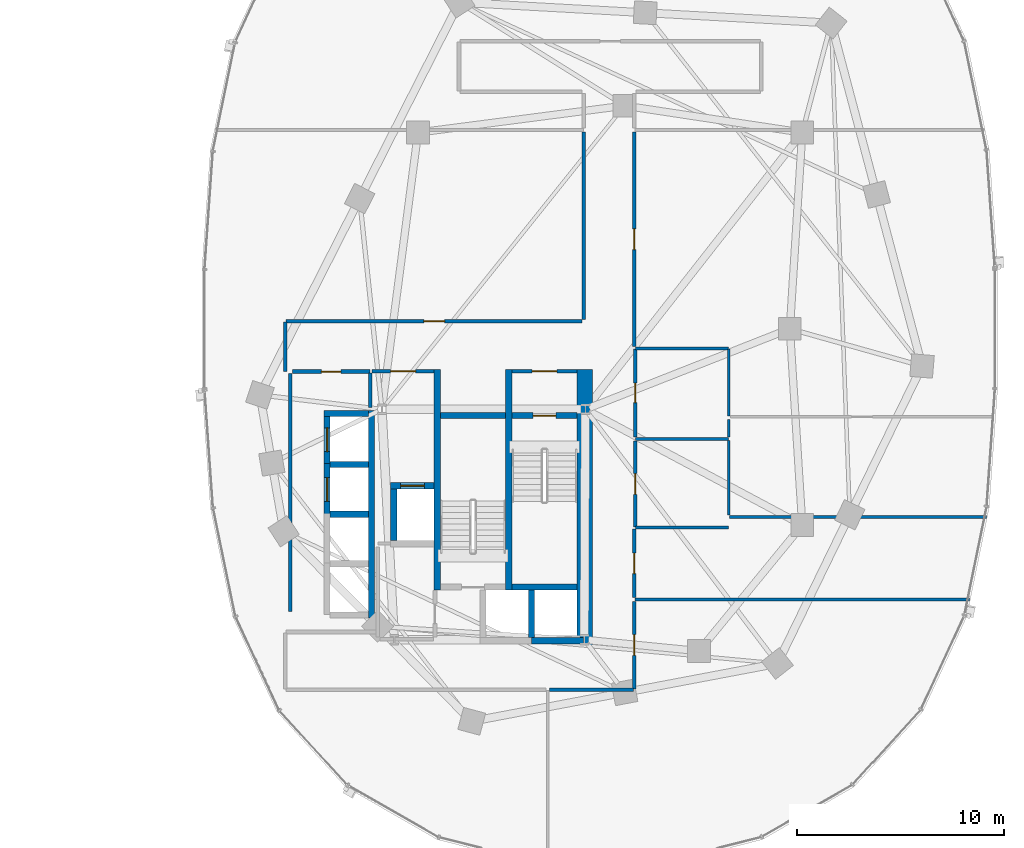
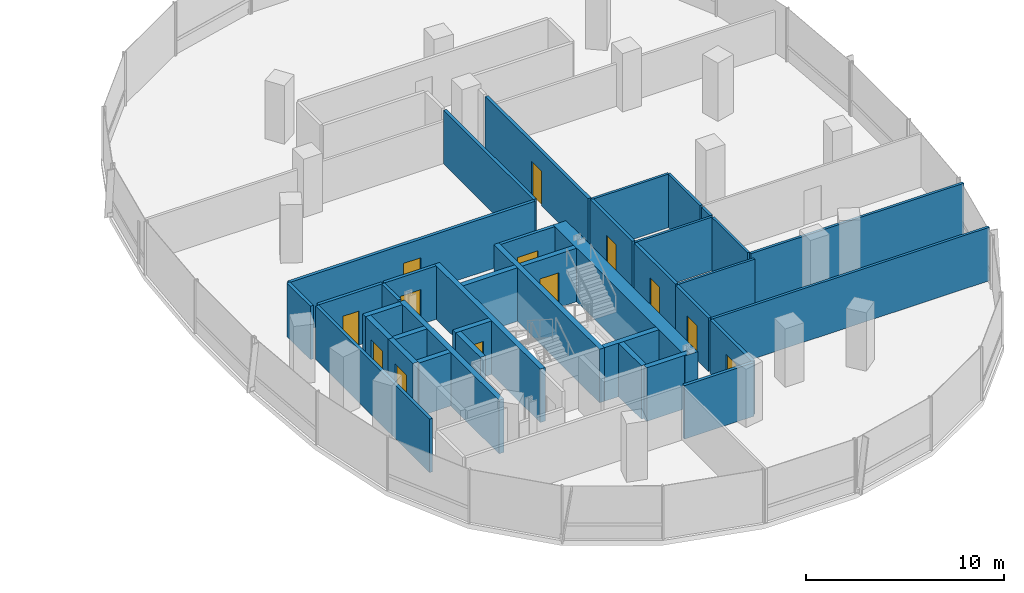
# One storey, part 13 of 21: 38 walls, 13 doors, 13 openings.
"""IFC4 building model written with IfcOpenShell, lengths in metres."""

from ifc_helpers import new_model, si_unit, direction, frame, frame_2d, origin, place, context, subcontext, project, spatial, rectangle, extrude, material, layer, layer_set, type_object, element, fill, save


model = new_model("IFC4")

# Units and contexts
model_context = context("Model", 3, precision=1e-05, world=origin(), true_north=direction((0.0, 1.0)))
body_context = subcontext(model_context, "Body", "Model", "MODEL_VIEW")
ifc_project = project(units=[si_unit("LENGTHUNIT", "METRE"), si_unit("AREAUNIT", "SQUARE_METRE"), si_unit("VOLUMEUNIT", "CUBIC_METRE"), si_unit("PLANEANGLEUNIT", "RADIAN"), si_unit("MASSUNIT", "GRAM", prefix="KILO"), si_unit("THERMODYNAMICTEMPERATUREUNIT", "KELVIN"), si_unit("POWERUNIT", "WATT")], contexts=[model_context])

# Site, building, storey
site_placement = place(None, origin())
site = spatial("IfcSite", under=ifc_project, at=site_placement, CompositionType="ELEMENT")
building_placement = place(site_placement, origin())
building = spatial("IfcBuilding", under=site, at=building_placement, Name="Cundina Bronze Exchange", CompositionType="ELEMENT")
storey_placement = place(building_placement, frame((0.0, 0.0, 99.800048828125)))
storey = spatial("IfcBuildingStorey", under=building, at=storey_placement, Name="L25", CompositionType="ELEMENT", Elevation=99.800048828125)

# Wall
ifc_material_1 = material(Name="Gypsum Fireboard Partition EI120")
ifc_layer_1 = layer(ifc_material_1, 0.179931640625, Name="Gypsum Fireboard Partition EI120")
ifc_layer_set_1 = layer_set([ifc_layer_1], Name="Gypsum Fireboard Partition EI120")
wall_type_1 = type_object("IfcWallType", Name="WL-COR-180", PredefinedType="PARTITIONING", material=ifc_layer_set_1)
wall_1_placement = place(storey_placement, frame((20.889892578125, -3.800048828125, 0.0), z_axis=(0.0, 0.0, 1.0), x_axis=(0.0, 1.0, 0.0)))
element("IfcWall", 1, at=wall_1_placement, inside=storey, type_object=wall_type_1, Name="L25 E Firefighting Lobby Side Wall", PredefinedType="PARTITIONING", context=body_context, shape_type="SweptSolid", body=[
    extrude(rectangle(XDim=1.650146484375, YDim=0.179931640625, at=frame_2d((0.8251953125, 0.0))), origin(), (0.0, 0.0, 1.0), 3.300048828125),
])

# Wall, opening, door
wall_2_placement = place(storey_placement, frame((20.97998046875, -2.06005859375, 0.0), z_axis=(0.0, 0.0, 1.0), x_axis=(1.0, 0.0, 0.0)))
wall_2 = element("IfcWall", 2, at=wall_2_placement, inside=storey, type_object=wall_type_1, Name="L25 E Firefighting Lobby Exit Wall", PredefinedType="PARTITIONING", context=body_context, shape_type="SweptSolid", body=[
    extrude(rectangle(XDim=3.0, YDim=0.179931640625, at=frame_2d((1.5, 0.0))), origin(), (0.0, 0.0, 1.0), 3.300048828125),
])
opening_1_placement = place(wall_2_placement, frame((0.89990234375, 0.0, 0.0)))
opening_1 = element("IfcOpeningElement", 3, at=opening_1_placement, cuts=wall_2, Name="Opening DF-01", PredefinedType="OPENING", context=body_context, shape_type="SweptSolid", body=[
    extrude(rectangle(XDim=1.199951171875, YDim=2.14990234375, at=frame_2d((0.60009765625, 1.074951171875))), frame((0.0, 0.099853515625, 0.0), z_axis=(0.0, -1.0, 0.0), x_axis=(1.0, 0.0, 0.0)), (0.0, 0.0, 1.0), 0.199951171875),
])
ifc_material_2 = material(Name="Steel ASTM A36 Painted", Category="steel")
door_type_1 = type_object("IfcDoorType", Name="DR-FFL-1200", OperationType="NOTDEFINED", PredefinedType="DOOR", material=ifc_material_2)
door_1_placement = place(opening_1_placement, origin())
door_1 = element("IfcDoor", 4, at=door_1_placement, inside=storey, type_object=door_type_1, Name="L25 E Firefighting Lobby Door", OperationType="SINGLE_SWING_LEFT", OverallHeight=2.14990234375, OverallWidth=1.199951171875, PredefinedType="DOOR", context=body_context, shape_type="SweptSolid", body=[
    extrude(rectangle(XDim=1.199951171875, YDim=2.14990234375, at=frame_2d((0.60009765625, 1.074951171875))), frame((0.0, 0.02490234375, 0.0), z_axis=(0.0, -1.0, 0.0), x_axis=(1.0, 0.0, 0.0)), (0.0, 0.0, 1.0), 0.050048828125),
])
fill(opening_1, door_1)

wall_3_placement = place(storey_placement, frame((27.739990234375, -2.06005859375, 0.0), z_axis=(0.0, 0.0, 1.0), x_axis=(1.0, 0.0, 0.0)))
wall_3 = element("IfcWall", 5, at=wall_3_placement, inside=storey, type_object=wall_type_1, Name="L25 E Stair Vestibule Exit Wall", PredefinedType="PARTITIONING", context=body_context, shape_type="SweptSolid", body=[
    extrude(rectangle(XDim=3.159912109375, YDim=0.179931640625, at=frame_2d((1.580078125, 0.0))), origin(), (0.0, 0.0, 1.0), 3.300048828125),
])
opening_2_placement = place(wall_3_placement, frame((0.97998046875, 0.0, 0.0)))
opening_2 = element("IfcOpeningElement", 6, at=opening_2_placement, cuts=wall_3, Name="Opening DF-01", PredefinedType="OPENING", context=body_context, shape_type="SweptSolid", body=[
    extrude(rectangle(XDim=1.199951171875, YDim=2.14990234375, at=frame_2d((0.60009765625, 1.074951171875))), frame((0.0, 0.099853515625, 0.0), z_axis=(0.0, -1.0, 0.0), x_axis=(1.0, 0.0, 0.0)), (0.0, 0.0, 1.0), 0.199951171875),
])
door_2_placement = place(opening_2_placement, origin())
door_2 = element("IfcDoor", 7, at=door_2_placement, inside=storey, type_object=door_type_1, Name="L25 E Stair Vestibule Door", OperationType="SINGLE_SWING_RIGHT", OverallHeight=2.14990234375, OverallWidth=1.199951171875, PredefinedType="DOOR", context=body_context, shape_type="SweptSolid", body=[
    extrude(rectangle(XDim=1.199951171875, YDim=2.14990234375, at=frame_2d((0.60009765625, 1.074951171875))), frame((0.0, 0.02490234375, 0.0), z_axis=(0.0, -1.0, 0.0), x_axis=(1.0, 0.0, 0.0)), (0.0, 0.0, 1.0), 0.050048828125),
])
fill(opening_2, door_2)

# Wall
wall_4_placement = place(storey_placement, frame((17.02001953125, -13.679931640625, 0.0), z_axis=(0.0, 0.0, 1.0), x_axis=(0.0, 1.0, 0.0)))
element("IfcWall", 8, at=wall_4_placement, inside=storey, type_object=wall_type_1, Name="L25 Interior Partition 038", PredefinedType="PARTITIONING", context=body_context, shape_type="SweptSolid", body=[
    extrude(rectangle(XDim=11.510009765625, YDim=0.179931640625, at=frame_2d((5.7548828125, 0.0))), origin(), (0.0, 0.0, 1.0), 3.300048828125),
])

# Wall, opening, door
wall_5_placement = place(storey_placement, frame((17.1201171875, -2.070068359375, 0.0), z_axis=(0.0, 0.0, 1.0), x_axis=(1.0, 0.0, 0.0)))
wall_5 = element("IfcWall", 9, at=wall_5_placement, inside=storey, type_object=wall_type_1, Name="L25 Interior Partition 039", PredefinedType="PARTITIONING", context=body_context, shape_type="SweptSolid", body=[
    extrude(rectangle(XDim=3.75, YDim=0.179931640625, at=frame_2d((1.875, 0.0))), origin(), (0.0, 0.0, 1.0), 3.300048828125),
])
opening_3_placement = place(wall_5_placement, frame((1.39990234375, 0.0, 0.0)))
opening_3 = element("IfcOpeningElement", 10, at=opening_3_placement, cuts=wall_5, Name="Opening DW-01", PredefinedType="OPENING", context=body_context, shape_type="SweptSolid", body=[
    extrude(rectangle(XDim=0.949951171875, YDim=2.10009765625, at=frame_2d((0.47509765625, 1.050048828125))), frame((0.0, 0.099853515625, 0.0), z_axis=(0.0, -1.0, 0.0), x_axis=(1.0, 0.0, 0.0)), (0.0, 0.0, 1.0), 0.199951171875),
])
ifc_material_3 = material(Name="Solid Andean Oak Timber Grade A", Category="wood")
door_type_2 = type_object("IfcDoorType", Name="DR-WC-950", OperationType="NOTDEFINED", PredefinedType="DOOR", material=ifc_material_3)
door_3_placement = place(opening_3_placement, origin())
door_3 = element("IfcDoor", 11, at=door_3_placement, inside=storey, type_object=door_type_2, Name="L25 Interior Door 039", OperationType="SINGLE_SWING_LEFT", OverallHeight=2.10009765625, OverallWidth=0.949951171875, PredefinedType="DOOR", context=body_context, shape_type="SweptSolid", body=[
    extrude(rectangle(XDim=0.949951171875, YDim=2.10009765625, at=frame_2d((0.47509765625, 1.050048828125))), frame((0.0, 0.02490234375, 0.0), z_axis=(0.0, -1.0, 0.0), x_axis=(1.0, 0.0, 0.0)), (0.0, 0.0, 1.0), 0.050048828125),
])
fill(opening_3, door_3)

wall_6_placement = place(storey_placement, frame((33.719970703125, -5.22998046875, 0.0), z_axis=(0.0, 0.0, 1.0), x_axis=(0.0, 1.0, 0.0)))
wall_6 = element("IfcWall", 12, at=wall_6_placement, inside=storey, type_object=wall_type_1, Name="L25 Interior Partition 050", PredefinedType="PARTITIONING", context=body_context, shape_type="SweptSolid", body=[
    extrude(rectangle(XDim=4.260009765625, YDim=0.179931640625, at=frame_2d((2.1298828125, 0.0))), origin(), (0.0, 0.0, 1.0), 3.300048828125),
])
opening_4_placement = place(wall_6_placement, frame((1.655029296875, 0.0, 0.0)))
opening_4 = element("IfcOpeningElement", 13, at=opening_4_placement, cuts=wall_6, Name="Opening DW-01", PredefinedType="OPENING", context=body_context, shape_type="SweptSolid", body=[
    extrude(rectangle(XDim=0.949951171875, YDim=2.10009765625, at=frame_2d((0.47509765625, 1.050048828125))), frame((0.0, 0.099853515625, 0.0), z_axis=(0.0, -1.0, 0.0), x_axis=(1.0, 0.0, 0.0)), (0.0, 0.0, 1.0), 0.199951171875),
])
door_4_placement = place(opening_4_placement, origin())
door_4 = element("IfcDoor", 14, at=door_4_placement, inside=storey, type_object=door_type_2, Name="L25 Interior Door 050", OperationType="SINGLE_SWING_RIGHT", OverallHeight=2.10009765625, OverallWidth=0.949951171875, PredefinedType="DOOR", context=body_context, shape_type="SweptSolid", body=[
    extrude(rectangle(XDim=0.949951171875, YDim=2.10009765625, at=frame_2d((0.47509765625, 1.050048828125))), frame((0.0, 0.02490234375, 0.0), z_axis=(0.0, -1.0, 0.0), x_axis=(1.0, 0.0, 0.0)), (0.0, 0.0, 1.0), 0.050048828125),
])
fill(opening_4, door_4)

wall_7_placement = place(storey_placement, frame((33.719970703125, -9.590087890625, 0.0), z_axis=(0.0, 0.0, 1.0), x_axis=(0.0, 1.0, 0.0)))
wall_7 = element("IfcWall", 15, at=wall_7_placement, inside=storey, type_object=wall_type_1, Name="L25 Interior Partition 051", PredefinedType="PARTITIONING", context=body_context, shape_type="SweptSolid", body=[
    extrude(rectangle(XDim=4.16015625, YDim=0.179931640625, at=frame_2d((2.080078125, 0.0))), origin(), (0.0, 0.0, 1.0), 3.300048828125),
])
opening_5_placement = place(wall_7_placement, frame((1.580078125, 0.0, 0.0)))
opening_5 = element("IfcOpeningElement", 16, at=opening_5_placement, cuts=wall_7, Name="Opening DO-01", PredefinedType="OPENING", context=body_context, shape_type="SweptSolid", body=[
    extrude(rectangle(XDim=1.0, YDim=2.14990234375, at=frame_2d((0.5, 1.074951171875))), frame((0.0, 0.099853515625, 0.0), z_axis=(0.0, -1.0, 0.0), x_axis=(1.0, 0.0, 0.0)), (0.0, 0.0, 1.0), 0.199951171875),
])
door_type_3 = type_object("IfcDoorType", Name="DR-OFF-1000", OperationType="NOTDEFINED", PredefinedType="DOOR", material=ifc_material_3)
door_5_placement = place(opening_5_placement, origin())
door_5 = element("IfcDoor", 17, at=door_5_placement, inside=storey, type_object=door_type_3, Name="L25 Interior Door 051", OperationType="SINGLE_SWING_LEFT", OverallHeight=2.14990234375, OverallWidth=1.0, PredefinedType="DOOR", context=body_context, shape_type="SweptSolid", body=[
    extrude(rectangle(XDim=1.0, YDim=2.14990234375, at=frame_2d((0.5, 1.074951171875))), frame((0.0, 0.02490234375, 0.0), z_axis=(0.0, -1.0, 0.0), x_axis=(1.0, 0.0, 0.0)), (0.0, 0.0, 1.0), 0.050048828125),
])
fill(opening_5, door_5)

wall_8_placement = place(storey_placement, frame((33.669921875, -17.428466796875, 0.0), z_axis=(0.0, 0.0, 1.0), x_axis=(0.0, 1.0, 0.0)))
wall_8 = element("IfcWall", 18, at=wall_8_placement, inside=storey, type_object=wall_type_1, Name="L25 Interior Partition 057", PredefinedType="PARTITIONING", context=body_context, shape_type="SweptSolid", body=[
    extrude(rectangle(XDim=4.238525390625, YDim=0.179931640625, at=frame_2d((2.119140625, 0.0))), origin(), (0.0, 0.0, 1.0), 3.300048828125),
])
opening_6_placement = place(wall_8_placement, frame((1.619384765625, 0.0, 0.0)))
opening_6 = element("IfcOpeningElement", 19, at=opening_6_placement, cuts=wall_8, Name="Opening DO-01", PredefinedType="OPENING", context=body_context, shape_type="SweptSolid", body=[
    extrude(rectangle(XDim=1.0, YDim=2.14990234375, at=frame_2d((0.5, 1.074951171875))), frame((0.0, 0.099853515625, 0.0), z_axis=(0.0, -1.0, 0.0), x_axis=(1.0, 0.0, 0.0)), (0.0, 0.0, 1.0), 0.199951171875),
])
door_6_placement = place(opening_6_placement, origin())
door_6 = element("IfcDoor", 20, at=door_6_placement, inside=storey, type_object=door_type_3, Name="L25 Interior Door 057", OperationType="SINGLE_SWING_LEFT", OverallHeight=2.14990234375, OverallWidth=1.0, PredefinedType="DOOR", context=body_context, shape_type="SweptSolid", body=[
    extrude(rectangle(XDim=1.0, YDim=2.14990234375, at=frame_2d((0.5, 1.074951171875))), frame((0.0, 0.02490234375, 0.0), z_axis=(0.0, -1.0, 0.0), x_axis=(1.0, 0.0, 0.0)), (0.0, 0.0, 1.0), 0.050048828125),
])
fill(opening_6, door_6)

# Wall
wall_9_placement = place(storey_placement, frame((29.570068359375, -17.469970703125, 0.0), z_axis=(0.0, 0.0, 1.0), x_axis=(1.0, 0.0, 0.0)))
element("IfcWall", 21, at=wall_9_placement, inside=storey, type_object=wall_type_1, Name="L25 Interior Partition 058", PredefinedType="PARTITIONING", context=body_context, shape_type="SweptSolid", body=[
    extrude(rectangle(XDim=4.058349609375, YDim=0.179931640625, at=frame_2d((2.029296875, 0.0))), origin(), (0.0, 0.0, 1.0), 3.300048828125),
])

# Wall, opening, door
wall_10_placement = place(storey_placement, frame((33.669921875, -13.010009765625, 0.0), z_axis=(0.0, 0.0, 1.0), x_axis=(0.0, 1.0, 0.0)))
wall_10 = element("IfcWall", 22, at=wall_10_placement, inside=storey, type_object=wall_type_1, Name="L25 Interior Partition 059", PredefinedType="PARTITIONING", context=body_context, shape_type="SweptSolid", body=[
    extrude(rectangle(XDim=3.30859375, YDim=0.179931640625, at=frame_2d((1.654296875, 0.0))), origin(), (0.0, 0.0, 1.0), 3.300048828125),
])
opening_7_placement = place(wall_10_placement, frame((1.154296875, 0.0, 0.0)))
opening_7 = element("IfcOpeningElement", 23, at=opening_7_placement, cuts=wall_10, Name="Opening DO-01", PredefinedType="OPENING", context=body_context, shape_type="SweptSolid", body=[
    extrude(rectangle(XDim=1.0, YDim=2.14990234375, at=frame_2d((0.5, 1.074951171875))), frame((0.0, 0.099853515625, 0.0), z_axis=(0.0, -1.0, 0.0), x_axis=(1.0, 0.0, 0.0)), (0.0, 0.0, 1.0), 0.199951171875),
])
door_7_placement = place(opening_7_placement, origin())
door_7 = element("IfcDoor", 24, at=door_7_placement, inside=storey, type_object=door_type_3, Name="L25 Interior Door 059", OperationType="SINGLE_SWING_RIGHT", OverallHeight=2.14990234375, OverallWidth=1.0, PredefinedType="DOOR", context=body_context, shape_type="SweptSolid", body=[
    extrude(rectangle(XDim=1.0, YDim=2.14990234375, at=frame_2d((0.5, 1.074951171875))), frame((0.0, 0.02490234375, 0.0), z_axis=(0.0, -1.0, 0.0), x_axis=(1.0, 0.0, 0.0)), (0.0, 0.0, 1.0), 0.050048828125),
])
fill(opening_7, door_7)

wall_11_placement = place(storey_placement, frame((31.14990234375, 0.3701171875, 0.0), z_axis=(0.0, 0.0, 1.0), x_axis=(-1.0, 0.0, 0.0)))
wall_11 = element("IfcWall", 25, at=wall_11_placement, inside=storey, type_object=wall_type_1, Name="L25 Interior Partition 060", PredefinedType="PARTITIONING", context=body_context, shape_type="SweptSolid", body=[
    extrude(rectangle(XDim=14.328369140625, YDim=0.179931640625, at=frame_2d((7.1640625, 0.0))), origin(), (0.0, 0.0, 1.0), 3.300048828125),
])
opening_8_placement = place(wall_11_placement, frame((6.664306640625, 0.0, 0.0)))
opening_8 = element("IfcOpeningElement", 26, at=opening_8_placement, cuts=wall_11, Name="Opening DO-01", PredefinedType="OPENING", context=body_context, shape_type="SweptSolid", body=[
    extrude(rectangle(XDim=1.0, YDim=2.14990234375, at=frame_2d((0.5, 1.074951171875))), frame((0.0, 0.099853515625, 0.0), z_axis=(0.0, -1.0, 0.0), x_axis=(1.0, 0.0, 0.0)), (0.0, 0.0, 1.0), 0.199951171875),
])
door_8_placement = place(opening_8_placement, origin())
door_8 = element("IfcDoor", 27, at=door_8_placement, inside=storey, type_object=door_type_3, Name="L25 Interior Door 060", OperationType="SINGLE_SWING_LEFT", OverallHeight=2.14990234375, OverallWidth=1.0, PredefinedType="DOOR", context=body_context, shape_type="SweptSolid", body=[
    extrude(rectangle(XDim=1.0, YDim=2.14990234375, at=frame_2d((0.5, 1.074951171875))), frame((0.0, 0.02490234375, 0.0), z_axis=(0.0, -1.0, 0.0), x_axis=(1.0, 0.0, 0.0)), (0.0, 0.0, 1.0), 0.050048828125),
])
fill(opening_8, door_8)

# Walls
wall_12_placement = place(storey_placement, frame((31.22998046875, 9.530029296875, 0.0), z_axis=(0.0, 0.0, 1.0), x_axis=(0.0, -1.0, 0.0)))
element("IfcWall", 28, at=wall_12_placement, inside=storey, type_object=wall_type_1, Name="L25 Interior Partition 062", PredefinedType="PARTITIONING", context=body_context, shape_type="SweptSolid", body=[
    extrude(rectangle(XDim=9.080078125, YDim=0.179931640625, at=frame_2d((4.5400390625, 0.0))), origin(), (0.0, 0.0, 1.0), 3.300048828125),
])
wall_13_placement = place(storey_placement, frame((16.780029296875, 0.32861328125, 0.0), z_axis=(0.0, 0.0, 1.0), x_axis=(0.0, -1.0, 0.0)))
element("IfcWall", 29, at=wall_13_placement, inside=storey, type_object=wall_type_1, Name="L25 Interior Partition 065", PredefinedType="PARTITIONING", context=body_context, shape_type="SweptSolid", body=[
    extrude(rectangle(XDim=2.38720703125, YDim=0.179931640625, at=frame_2d((1.193603515625, 0.0))), origin(), (0.0, 0.0, 1.0), 3.300048828125),
])

# Wall, opening, door
wall_14_placement = place(storey_placement, frame((33.669921875, -0.858642578125, 0.0), z_axis=(0.0, 0.0, 1.0), x_axis=(0.0, 1.0, 0.0)))
wall_14 = element("IfcWall", 30, at=wall_14_placement, inside=storey, type_object=wall_type_1, Name="L25 Interior Partition 066", PredefinedType="PARTITIONING", context=body_context, shape_type="SweptSolid", body=[
    extrude(rectangle(XDim=10.388671875, YDim=0.179931640625, at=frame_2d((5.1943359375, 0.0))), origin(), (0.0, 0.0, 1.0), 3.300048828125),
])
opening_9_placement = place(wall_14_placement, frame((4.6943359375, 0.0, 0.0)))
opening_9 = element("IfcOpeningElement", 31, at=opening_9_placement, cuts=wall_14, Name="Opening DO-01", PredefinedType="OPENING", context=body_context, shape_type="SweptSolid", body=[
    extrude(rectangle(XDim=1.0, YDim=2.14990234375, at=frame_2d((0.5, 1.074951171875))), frame((0.0, 0.099853515625, 0.0), z_axis=(0.0, -1.0, 0.0), x_axis=(1.0, 0.0, 0.0)), (0.0, 0.0, 1.0), 0.199951171875),
])
door_9_placement = place(opening_9_placement, origin())
door_9 = element("IfcDoor", 32, at=door_9_placement, inside=storey, type_object=door_type_3, Name="L25 Interior Door 066", OperationType="SINGLE_SWING_LEFT", OverallHeight=2.14990234375, OverallWidth=1.0, PredefinedType="DOOR", context=body_context, shape_type="SweptSolid", body=[
    extrude(rectangle(XDim=1.0, YDim=2.14990234375, at=frame_2d((0.5, 1.074951171875))), frame((0.0, 0.02490234375, 0.0), z_axis=(0.0, -1.0, 0.0), x_axis=(1.0, 0.0, 0.0)), (0.0, 0.0, 1.0), 0.050048828125),
])
fill(opening_9, door_9)

# Walls
ifc_material_4 = material(Name="Concrete C60/75", Category="concrete")
ifc_layer_2 = layer(ifc_material_4, 0.75, Name="Concrete C60/75", Category="concrete")
ifc_layer_set_2 = layer_set([ifc_layer_2], Name="Concrete C60/75")
wall_type_2 = type_object("IfcWallType", Name="WL-CORE-750", PredefinedType="SHEAR", material=ifc_layer_set_2)
wall_15_placement = place(storey_placement, frame((31.27490234375, -15.300048828125, 0.0), z_axis=(0.0, 0.0, 1.0), x_axis=(0.0, 1.0, 0.0)))
element("IfcWall", 33, at=wall_15_placement, inside=storey, type_object=wall_type_2, Name="L25 E Primary Core Shear Spine Wall", PredefinedType="SHEAR", context=body_context, shape_type="SweptSolid", body=[
    extrude(rectangle(XDim=13.330078125, YDim=0.75, at=frame_2d((6.6650390625, 0.0))), origin(), (0.0, 0.0, 1.0), 3.300048828125),
])
ifc_material_5 = material(Name="Concrete C50/60", Category="concrete")
ifc_layer_3 = layer(ifc_material_5, 0.300048828125, Name="Concrete C50/60", Category="concrete")
ifc_layer_set_3 = layer_set([ifc_layer_3], Name="Concrete C50/60")
wall_type_3 = type_object("IfcWallType", Name="WL-SHFT-300", PredefinedType="SHEAR", material=ifc_layer_set_3)
for number, where, z_axis, x_axis, name in (
    (34, (27.590087890625, -12.64990234375, 0.0), (0.0, 0.0, 1.0), (0.0, 1.0, 0.0), "L25 E Stair Shaft Dividing Shear Wall"),
    (35, (24.1298828125, -12.64990234375, 0.0), (0.0, 0.0, 1.0), (0.0, 1.0, 0.0), "L25 E Stair 2 East Shear Wall"),
):
    element("IfcWall", number, at=place(storey_placement, frame(where, z_axis=z_axis, x_axis=x_axis)), inside=storey, type_object=wall_type_3, Name=name, PredefinedType="SHEAR", context=body_context, shape_type="SweptSolid", body=[
        extrude(rectangle(XDim=10.679931640625, YDim=0.300048828125, at=frame_2d((5.33984375, 0.0))), origin(), (0.0, 0.0, 1.0), 3.300048828125),
    ])

# Wall, opening, door
wall_16_placement = place(storey_placement, frame((27.739990234375, -4.199951171875, 0.0), z_axis=(0.0, 0.0, 1.0), x_axis=(1.0, 0.0, 0.0)))
wall_16 = element("IfcWall", 36, at=wall_16_placement, inside=storey, type_object=wall_type_3, Name="L25 Stair E1 Landing Wall", PredefinedType="SHEAR", context=body_context, shape_type="SweptSolid", body=[
    extrude(rectangle(XDim=3.159912109375, YDim=0.300048828125, at=frame_2d((1.580078125, 0.0))), origin(), (0.0, 0.0, 1.0), 3.300048828125),
])
opening_10_placement = place(wall_16_placement, frame((1.030029296875, 0.0, 0.0)))
opening_10 = element("IfcOpeningElement", 37, at=opening_10_placement, cuts=wall_16, Name="Opening DS-01", PredefinedType="OPENING", context=body_context, shape_type="SweptSolid", body=[
    extrude(rectangle(XDim=1.10009765625, YDim=2.14990234375, at=frame_2d((0.550048828125, 1.074951171875))), frame((0.0, 0.159912109375, 0.0), z_axis=(0.0, -1.0, 0.0), x_axis=(1.0, 0.0, 0.0)), (0.0, 0.0, 1.0), 0.320068359375),
])
door_type_4 = type_object("IfcDoorType", Name="DR-STR-1100", OperationType="NOTDEFINED", PredefinedType="DOOR", material=ifc_material_2)
door_10_placement = place(opening_10_placement, origin())
door_10 = element("IfcDoor", 38, at=door_10_placement, inside=storey, type_object=door_type_4, Name="L25 Smokeproof Stair E1 Door", OperationType="SINGLE_SWING_LEFT", OverallHeight=2.14990234375, OverallWidth=1.10009765625, PredefinedType="DOOR", context=body_context, shape_type="SweptSolid", body=[
    extrude(rectangle(XDim=1.10009765625, YDim=2.14990234375, at=frame_2d((0.550048828125, 1.074951171875))), frame((0.0, 0.02490234375, 0.0), z_axis=(0.0, -1.0, 0.0), x_axis=(1.0, 0.0, 0.0)), (0.0, 0.0, 1.0), 0.050048828125),
])
fill(opening_10, door_10)

# Walls
for number, where, z_axis, x_axis, name in (
    (39, (27.739990234375, -12.5, 0.0), (0.0, 0.0, 1.0), (1.0, 0.0, 0.0), "L25 Stair E1 Far Shaft Wall"),
    (40, (24.280029296875, -4.199951171875, 0.0), (0.0, 0.0, 1.0), (1.0, 0.0, 0.0), "L25 Stair E2 Far Shaft Wall"),
):
    element("IfcWall", number, at=place(storey_placement, frame(where, z_axis=z_axis, x_axis=x_axis)), inside=storey, type_object=wall_type_3, Name=name, PredefinedType="SHEAR", context=body_context, shape_type="SweptSolid", body=[
        extrude(rectangle(XDim=3.159912109375, YDim=0.300048828125, at=frame_2d((1.580078125, 0.0))), origin(), (0.0, 0.0, 1.0), 3.300048828125),
    ])

# Wall, opening, door
wall_17_placement = place(storey_placement, frame((21.8798828125, -7.60009765625, 0.0), z_axis=(0.0, 0.0, 1.0), x_axis=(1.0, 0.0, 0.0)))
wall_17 = element("IfcWall", 41, at=wall_17_placement, inside=storey, type_object=wall_type_3, Name="L25 FFL-E Hoistway Front Wall", PredefinedType="SHEAR", context=body_context, shape_type="SweptSolid", body=[
    extrude(rectangle(XDim=2.10009765625, YDim=0.300048828125, at=frame_2d((1.050048828125, 0.0))), origin(), (0.0, 0.0, 1.0), 3.300048828125),
])
opening_11_placement = place(wall_17_placement, frame((0.47509765625, 0.0, 0.0)))
opening_11 = element("IfcOpeningElement", 42, at=opening_11_placement, cuts=wall_17, Name="Opening LD-01", PredefinedType="OPENING", context=body_context, shape_type="SweptSolid", body=[
    extrude(rectangle(XDim=1.14990234375, YDim=2.199951171875, at=frame_2d((0.574951171875, 1.10009765625))), frame((0.0, 0.159912109375, 0.0), z_axis=(0.0, -1.0, 0.0), x_axis=(1.0, 0.0, 0.0)), (0.0, 0.0, 1.0), 0.320068359375),
])
door_type_5 = type_object("IfcDoorType", Name="DR-LND-1150", OperationType="NOTDEFINED", PredefinedType="TRAPDOOR", material=ifc_material_2)
door_11_placement = place(opening_11_placement, origin())
door_11 = element("IfcDoor", 43, at=door_11_placement, inside=storey, type_object=door_type_5, Name="L25 FFL-E Sliding Landing Door", OperationType="SLIDING_TO_LEFT", OverallHeight=2.199951171875, OverallWidth=1.14990234375, PredefinedType="TRAPDOOR", context=body_context, shape_type="SweptSolid", body=[
    extrude(rectangle(XDim=1.14990234375, YDim=2.199951171875, at=frame_2d((0.574951171875, 1.10009765625))), frame((0.0, 0.02490234375, 0.0), z_axis=(0.0, -1.0, 0.0), x_axis=(1.0, 0.0, 0.0)), (0.0, 0.0, 1.0), 0.050048828125),
])
fill(opening_11, door_11)

# Walls
for number, where, z_axis, x_axis, name in (
    (44, (22.030029296875, -10.25, 0.0), (0.0, 0.0, 1.0), (0.0, 1.0, 0.0), "L25 FFL-E Hoistway Side Wall"),
    (45, (28.699951171875, -15.10009765625, 0.0), (0.0, 0.0, 1.0), (1.0, 0.0, 0.0), "L25 PH-E1 Hoistway Front Wall"),
):
    element("IfcWall", number, at=place(storey_placement, frame(where, z_axis=z_axis, x_axis=x_axis)), inside=storey, type_object=wall_type_3, Name=name, PredefinedType="SHEAR", context=body_context, shape_type="SweptSolid", body=[
        extrude(rectangle(XDim=2.5, YDim=0.300048828125, at=frame_2d((1.25, 0.0))), origin(), (0.0, 0.0, 1.0), 3.300048828125),
    ])
wall_18_placement = place(storey_placement, frame((28.699951171875, -14.949951171875, 0.0), z_axis=(0.0, 0.0, 1.0), x_axis=(0.0, 1.0, 0.0)))
element("IfcWall", 46, at=wall_18_placement, inside=storey, type_object=wall_type_3, Name="L25 PH-E1 Hoistway Divider Wall", PredefinedType="SHEAR", context=body_context, shape_type="SweptSolid", body=[
    extrude(rectangle(XDim=2.300048828125, YDim=0.300048828125, at=frame_2d((1.14990234375, 0.0))), origin(), (0.0, 0.0, 1.0), 3.300048828125),
])
wall_19_placement = place(storey_placement, frame((20.949951171875, -14.0, 0.0), z_axis=(0.0, 0.0, 1.0), x_axis=(0.0, 1.0, 0.0)))
element("IfcWall", 47, at=wall_19_placement, inside=storey, type_object=wall_type_3, Name="L25 E Passenger Bank Hoistway Back Wall", PredefinedType="SHEAR", context=body_context, shape_type="SweptSolid", body=[
    extrude(rectangle(XDim=10.050048828125, YDim=0.300048828125, at=frame_2d((5.02490234375, 0.0))), origin(), (0.0, 0.0, 1.0), 3.300048828125),
])
wall_20_placement = place(storey_placement, frame((18.64990234375, -4.10009765625, 0.0), z_axis=(0.0, 0.0, 1.0), x_axis=(1.0, 0.0, 0.0)))
element("IfcWall", 48, at=wall_20_placement, inside=storey, type_object=wall_type_3, Name="L25 E Passenger Bank North Cap Wall", PredefinedType="SHEAR", context=body_context, shape_type="SweptSolid", body=[
    extrude(rectangle(XDim=2.150146484375, YDim=0.300048828125, at=frame_2d((1.0751953125, 0.0))), origin(), (0.0, 0.0, 1.0), 3.300048828125),
])
for number, where, z_axis, x_axis, name in (
    (49, (18.949951171875, -8.97509765625, 0.0), (0.0, 0.0, 1.0), (1.0, 0.0, 0.0), "L25 E Passenger Hoistway Divider 2"),
    (50, (18.949951171875, -6.574951171875, 0.0), (0.0, 0.0, 1.0), (1.0, 0.0, 0.0), "L25 E Passenger Hoistway Divider 3"),
):
    element("IfcWall", number, at=place(storey_placement, frame(where, z_axis=z_axis, x_axis=x_axis)), inside=storey, type_object=wall_type_3, Name=name, PredefinedType="SHEAR", context=body_context, shape_type="SweptSolid", body=[
        extrude(rectangle(XDim=1.85009765625, YDim=0.300048828125, at=frame_2d((0.925048828125, 0.0))), origin(), (0.0, 0.0, 1.0), 3.300048828125),
    ])

# Wall, opening, door
wall_21_placement = place(storey_placement, frame((18.800048828125, -9.02001953125, 0.0), z_axis=(0.0, 0.0, 1.0), x_axis=(0.0, 1.0, 0.0)))
wall_21 = element("IfcWall", 51, at=wall_21_placement, inside=storey, type_object=wall_type_3, Name="L25 PL-E1 Hoistway Front Wall", PredefinedType="SHEAR", context=body_context, shape_type="SweptSolid", body=[
    extrude(rectangle(XDim=2.489990234375, YDim=0.300048828125, at=frame_2d((1.2451171875, 0.0))), origin(), (0.0, 0.0, 1.0), 3.300048828125),
])
opening_12_placement = place(wall_21_placement, frame((0.669921875, 0.0, 0.0)))
opening_12 = element("IfcOpeningElement", 52, at=opening_12_placement, cuts=wall_21, Name="Opening LD-01", PredefinedType="OPENING", context=body_context, shape_type="SweptSolid", body=[
    extrude(rectangle(XDim=1.14990234375, YDim=2.199951171875, at=frame_2d((0.574951171875, 1.10009765625))), frame((0.0, 0.159912109375, 0.0), z_axis=(0.0, -1.0, 0.0), x_axis=(1.0, 0.0, 0.0)), (0.0, 0.0, 1.0), 0.320068359375),
])
door_12_placement = place(opening_12_placement, origin())
door_12 = element("IfcDoor", 53, at=door_12_placement, inside=storey, type_object=door_type_5, Name="L25 PL-E1 Sliding Landing Door", OperationType="SLIDING_TO_LEFT", OverallHeight=2.199951171875, OverallWidth=1.14990234375, PredefinedType="TRAPDOOR", context=body_context, shape_type="SweptSolid", body=[
    extrude(rectangle(XDim=1.14990234375, YDim=2.199951171875, at=frame_2d((0.574951171875, 1.10009765625))), frame((0.0, 0.02490234375, 0.0), z_axis=(0.0, -1.0, 0.0), x_axis=(1.0, 0.0, 0.0)), (0.0, 0.0, 1.0), 0.050048828125),
])
fill(opening_12, door_12)

wall_22_placement = place(storey_placement, frame((18.800048828125, -6.6201171875, 0.0), z_axis=(0.0, 0.0, 1.0), x_axis=(0.0, 1.0, 0.0)))
wall_22 = element("IfcWall", 54, at=wall_22_placement, inside=storey, type_object=wall_type_3, Name="L25 PL-E2 Hoistway Front Wall", PredefinedType="SHEAR", context=body_context, shape_type="SweptSolid", body=[
    extrude(rectangle(XDim=2.490234375, YDim=0.300048828125, at=frame_2d((1.2451171875, 0.0))), origin(), (0.0, 0.0, 1.0), 3.300048828125),
])
opening_13_placement = place(wall_22_placement, frame((0.669921875, 0.0, 0.0)))
opening_13 = element("IfcOpeningElement", 55, at=opening_13_placement, cuts=wall_22, Name="Opening LD-01", PredefinedType="OPENING", context=body_context, shape_type="SweptSolid", body=[
    extrude(rectangle(XDim=1.14990234375, YDim=2.199951171875, at=frame_2d((0.574951171875, 1.10009765625))), frame((0.0, 0.159912109375, 0.0), z_axis=(0.0, -1.0, 0.0), x_axis=(1.0, 0.0, 0.0)), (0.0, 0.0, 1.0), 0.320068359375),
])
door_13_placement = place(opening_13_placement, origin())
door_13 = element("IfcDoor", 56, at=door_13_placement, inside=storey, type_object=door_type_5, Name="L25 PL-E2 Sliding Landing Door", OperationType="SLIDING_TO_LEFT", OverallHeight=2.199951171875, OverallWidth=1.14990234375, PredefinedType="TRAPDOOR", context=body_context, shape_type="SweptSolid", body=[
    extrude(rectangle(XDim=1.14990234375, YDim=2.199951171875, at=frame_2d((0.574951171875, 1.10009765625))), frame((0.0, 0.02490234375, 0.0), z_axis=(0.0, -1.0, 0.0), x_axis=(1.0, 0.0, 0.0)), (0.0, 0.0, 1.0), 0.050048828125),
])
fill(opening_13, door_13)

# Walls
ifc_material_6 = material(Name="Gypsum Acoustic Partition EI60")
ifc_layer_4 = layer(ifc_material_6, 0.14990234375, Name="Gypsum Acoustic Partition EI60")
ifc_layer_set_4 = layer_set([ifc_layer_4], Name="Gypsum Acoustic Partition EI60")
wall_type_4 = type_object("IfcWallType", Name="WL-TEN-150", PredefinedType="PARTITIONING", material=ifc_layer_set_4)
wall_23_placement = place(storey_placement, frame((38.27001953125, -9.10009765625, 0.0), z_axis=(0.0, 0.0, 1.0), x_axis=(1.0, 0.0, 0.0)))
element("IfcWall", 57, at=wall_23_placement, inside=storey, type_object=wall_type_4, Name="L25 Interior Partition 054", PredefinedType="PARTITIONING", context=body_context, shape_type="SweptSolid", body=[
    extrude(rectangle(XDim=12.4423828125, YDim=0.14990234375, at=frame_2d((6.22119140625, 0.0))), origin(), (0.0, 0.0, 1.0), 3.300048828125),
])
wall_24_placement = place(storey_placement, frame((33.699951171875, -13.10009765625, 0.0), z_axis=(0.0, 0.0, 1.0), x_axis=(1.0, 0.0, 0.0)))
element("IfcWall", 58, at=wall_24_placement, inside=storey, type_object=wall_type_4, Name="L25 Interior Partition 055", PredefinedType="PARTITIONING", context=body_context, shape_type="SweptSolid", body=[
    extrude(rectangle(XDim=16.18994140625, YDim=0.14990234375, at=frame_2d((8.094970703125, 0.0))), origin(), (0.0, 0.0, 1.0), 3.300048828125),
])
ifc_material_7 = material(Name="Moisture-Resistant Masonry Block Grade M15", Category="masonry")
ifc_layer_5 = layer(ifc_material_7, 0.139892578125, Name="Moisture-Resistant Masonry Block Grade M15", Category="masonry")
ifc_layer_set_5 = layer_set([ifc_layer_5], Name="Moisture-Resistant Masonry Block Grade M15")
wall_type_5 = type_object("IfcWallType", Name="WL-WET-140", PredefinedType="PARTITIONING", material=ifc_layer_set_5)
wall_25_placement = place(storey_placement, frame((38.239990234375, -9.014892578125, 0.0), z_axis=(0.0, 0.0, 1.0), x_axis=(0.0, 1.0, 0.0)))
element("IfcWall", 59, at=wall_25_placement, inside=storey, type_object=wall_type_5, Name="L25 Interior Partition 044", PredefinedType="PARTITIONING", context=body_context, shape_type="SweptSolid", body=[
    extrude(rectangle(XDim=3.599853515625, YDim=0.139892578125, at=frame_2d((1.7998046875, 0.0))), origin(), (0.0, 0.0, 1.0), 3.300048828125),
])
wall_26_placement = place(storey_placement, frame((38.239990234375, -5.2451171875, 0.0), z_axis=(0.0, 0.0, 1.0), x_axis=(0.0, 1.0, 0.0)))
element("IfcWall", 60, at=wall_26_placement, inside=storey, type_object=wall_type_5, Name="L25 Interior Partition 045", PredefinedType="PARTITIONING", context=body_context, shape_type="SweptSolid", body=[
    extrude(rectangle(XDim=0.860107421875, YDim=0.139892578125, at=frame_2d((0.43017578125, 0.0))), origin(), (0.0, 0.0, 1.0), 3.300048828125),
])
wall_27_placement = place(storey_placement, frame((38.239990234375, -4.215087890625, 0.0), z_axis=(0.0, 0.0, 1.0), x_axis=(0.0, 1.0, 0.0)))
element("IfcWall", 61, at=wall_27_placement, inside=storey, type_object=wall_type_5, Name="L25 Interior Partition 046", PredefinedType="PARTITIONING", context=body_context, shape_type="SweptSolid", body=[
    extrude(rectangle(XDim=3.2451171875, YDim=0.139892578125, at=frame_2d((1.62255859375, 0.0))), origin(), (0.0, 0.0, 1.0), 3.300048828125),
])
for number, where, z_axis, x_axis, name in (
    (62, (33.739990234375, -0.949951171875, 0.0), (0.0, 0.0, 1.0), (1.0, 0.0, 0.0), "L25 Interior Partition 047"),
    (63, (33.739990234375, -5.330078125, 0.0), (0.0, 0.0, 1.0), (1.0, 0.0, 0.0), "L25 Interior Partition 048"),
    (64, (33.739990234375, -9.610107421875, 0.0), (0.0, 0.0, 1.0), (1.0, 0.0, 0.0), "L25 Interior Partition 049"),
):
    element("IfcWall", number, at=place(storey_placement, frame(where, z_axis=z_axis, x_axis=x_axis)), inside=storey, type_object=wall_type_5, Name=name, PredefinedType="PARTITIONING", context=body_context, shape_type="SweptSolid", body=[
        extrude(rectangle(XDim=4.47998046875, YDim=0.139892578125, at=frame_2d((2.239990234375, 0.0))), origin(), (0.0, 0.0, 1.0), 3.300048828125),
    ])

save(model, "model.ifc")
